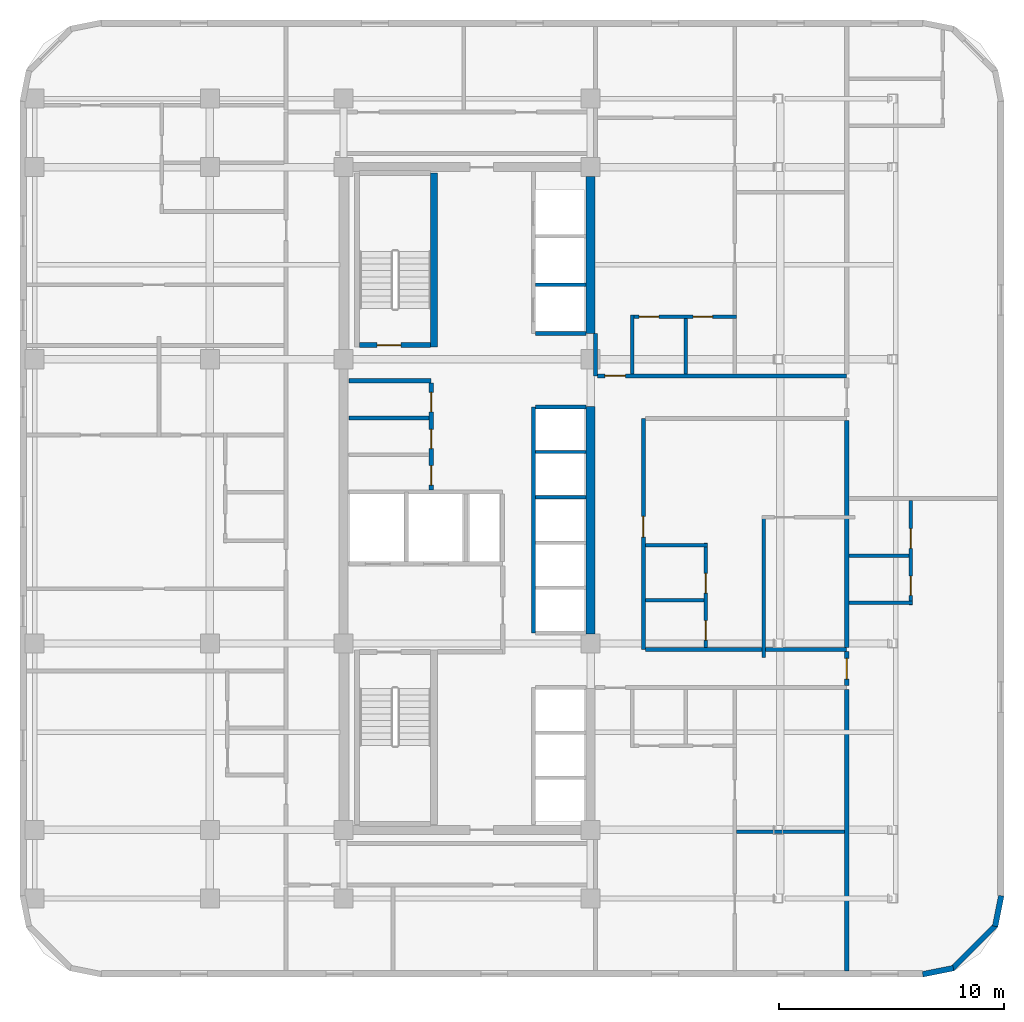
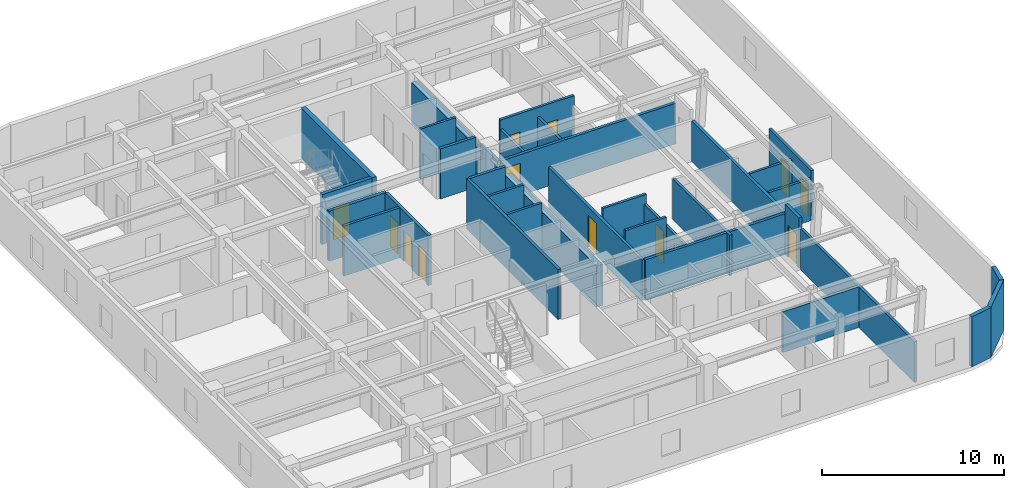
# One storey, part 5 of 8: 34 walls, 13 doors, 13 openings.
"""IFC4 building model written with IfcOpenShell, lengths in metres."""

from ifc_helpers import new_model, si_unit, direction, frame, frame_2d, origin, place, context, subcontext, project, spatial, rectangle, extrude, material, layer, layer_set, type_object, element, fill, save


model = new_model("IFC4")

# Units and contexts
model_context = context("Model", 3, precision=1e-05, world=origin(), true_north=direction((0.0, 1.0)))
body_context = subcontext(model_context, "Body", "Model", "MODEL_VIEW")
ifc_project = project(units=[si_unit("LENGTHUNIT", "METRE"), si_unit("AREAUNIT", "SQUARE_METRE"), si_unit("VOLUMEUNIT", "CUBIC_METRE"), si_unit("PLANEANGLEUNIT", "RADIAN"), si_unit("MASSUNIT", "GRAM", prefix="KILO")], contexts=[model_context])

# Site, building, storey
site_placement = place(None, origin())
site = spatial("IfcSite", under=ifc_project, at=site_placement, CompositionType="ELEMENT")
building_placement = place(site_placement, origin())
building = spatial("IfcBuilding", under=site, at=building_placement, Name="Ochreholt Gables", CompositionType="ELEMENT")
storey_placement = place(building_placement, frame((0.0, 0.0, 102.60009765625)))
storey = spatial("IfcBuildingStorey", under=building, at=storey_placement, Name="L26", CompositionType="ELEMENT", Elevation=102.60009765625)

# Walls
ifc_material_1 = material(Name="Concrete 60 MPa", Category="concrete")
ifc_layer_1 = layer(ifc_material_1, 0.39990234375, Name="Concrete 60 MPa")
ifc_layer_set_1 = layer_set([ifc_layer_1], Name="Concrete 60 MPa")
wall_type_1 = type_object("IfcWallType", Name="WALL-CSW-400", PredefinedType="SHEAR", material=ifc_layer_set_1)
wall_1_placement = place(storey_placement, frame((35.199951171875, 17.97509765625, 0.0), z_axis=(0.0, 0.0, 1.0), x_axis=(0.0, 1.0, 0.0)))
element("IfcWall", 1, at=wall_1_placement, inside=storey, type_object=wall_type_1, Name="L26 Core Central-East Shear Wall", PredefinedType="SHEAR", context=body_context, shape_type="SweptSolid", body=[
    extrude(rectangle(XDim=10.125, YDim=0.39990234375, at=frame_2d((5.0625, 0.0))), origin(), (0.0, 0.0, 1.0), 2.7490234375),
])
wall_2_placement = place(storey_placement, frame((35.199951171875, 31.35009765625, 0.0), z_axis=(0.0, 0.0, 1.0), x_axis=(0.0, 1.0, 0.0)))
element("IfcWall", 2, at=wall_2_placement, inside=storey, type_object=wall_type_1, Name="L26 Core North-East Shear Wall", PredefinedType="SHEAR", context=body_context, shape_type="SweptSolid", body=[
    extrude(rectangle(XDim=6.974853515625, YDim=0.39990234375, at=frame_2d((3.4873046875, 0.0))), origin(), (0.0, 0.0, 1.0), 2.7490234375),
])
ifc_material_2 = material(Name="Precast concrete 40 MPa", Category="concrete")
ifc_layer_2 = layer(ifc_material_2, 0.25, Name="Precast concrete 40 MPa")
ifc_layer_set_2 = layer_set([ifc_layer_2], Name="Precast concrete 40 MPa")
wall_type_2 = type_object("IfcWallType", Name="WALL-EXT-CNR", PredefinedType="SOLIDWALL", material=ifc_layer_set_2)
wall_3_placement = place(storey_placement, frame((49.9833984375, 2.82421875, 0.0), z_axis=(0.0, 0.0, 1.0), x_axis=(0.980809899341, 0.19496651342, 0.0)))
element("IfcWall", 3, at=wall_3_placement, inside=storey, type_object=wall_type_2, Name="L26 Rounded Corner Wall SE-1", PredefinedType="SOLIDWALL", context=body_context, shape_type="SweptSolid", body=[
    extrude(rectangle(XDim=1.388671875, YDim=0.25, at=frame_2d((0.6943359375, 0.0))), origin(), (0.0, 0.0, 1.0), 3.35986328125),
])
wall_4_placement = place(storey_placement, frame((51.294921875, 3.068115234375, 0.0), z_axis=(0.0, 0.0, 1.0), x_axis=(0.707151344399, 0.707062215165, 0.0)))
element("IfcWall", 4, at=wall_4_placement, inside=storey, type_object=wall_type_2, Name="L26 Rounded Corner Wall SE-2", PredefinedType="SOLIDWALL", context=body_context, shape_type="SweptSolid", body=[
    extrude(rectangle(XDim=2.7392578125, YDim=0.25, at=frame_2d((1.36962890625, 0.0))), origin(), (0.0, 0.0, 1.0), 3.35986328125),
])
wall_5_placement = place(storey_placement, frame((53.205078125, 4.95458984375, 0.0), z_axis=(0.0, 0.0, 1.0), x_axis=(0.195000137217, 0.980803214965, 0.0)))
element("IfcWall", 5, at=wall_5_placement, inside=storey, type_object=wall_type_2, Name="L26 Rounded Corner Wall SE-3", PredefinedType="SOLIDWALL", context=body_context, shape_type="SweptSolid", body=[
    extrude(rectangle(XDim=1.388427734375, YDim=0.25, at=frame_2d((0.6943359375, 0.0))), origin(), (0.0, 0.0, 1.0), 3.35986328125),
])
ifc_material_3 = material(Name="Concrete 40 MPa", Category="concrete")
ifc_layer_3 = layer(ifc_material_3, 0.199951171875, Name="Concrete 40 MPa")
ifc_layer_set_3 = layer_set([ifc_layer_3], Name="Concrete 40 MPa")
wall_type_3 = type_object("IfcWallType", Name="WALL-INT-CF200", PredefinedType="STANDARD", material=ifc_layer_set_3)
wall_6_placement = place(storey_placement, frame((24.449951171875, 29.239990234375, 0.0), z_axis=(0.0, 0.0, 1.0), x_axis=(1.0, 0.0, 0.0)))
element("IfcWall", 6, at=wall_6_placement, inside=storey, type_object=wall_type_3, Name="L26 Interior Wall WI-SRVN-L26", PredefinedType="STANDARD", context=body_context, shape_type="SweptSolid", body=[
    extrude(rectangle(XDim=3.650146484375, YDim=0.199951171875, at=frame_2d((1.8251953125, 0.0))), origin(), (0.0, 0.0, 1.0), 3.35986328125),
])

# Wall, openings, doors
wall_7_placement = place(storey_placement, frame((28.10009765625, 24.389892578125, 0.0), z_axis=(0.0, 0.0, 1.0), x_axis=(0.0, 1.0, 0.0)))
wall_7 = element("IfcWall", 7, at=wall_7_placement, inside=storey, type_object=wall_type_3, Name="L26 Interior Wall WI-SRVE-L26", PredefinedType="STANDARD", context=body_context, shape_type="SweptSolid", body=[
    extrude(rectangle(XDim=4.75, YDim=0.199951171875, at=frame_2d((2.375, 0.0))), origin(), (0.0, 0.0, 1.0), 3.35986328125),
])
opening_1_placement = place(wall_7_placement, frame((0.2099609375, 0.0, 0.0)))
opening_1 = element("IfcOpeningElement", 8, at=opening_1_placement, cuts=wall_7, Name="Opening D-SV2", PredefinedType="OPENING", context=body_context, shape_type="SweptSolid", body=[
    extrude(rectangle(XDim=0.860107421875, YDim=2.10009765625, at=frame_2d((0.43017578125, 1.050048828125))), frame((0.0, 0.10986328125, 0.0), z_axis=(0.0, -1.0, 0.0), x_axis=(1.0, 0.0, 0.0)), (0.0, 0.0, 1.0), 0.219970703125),
])
opening_2_placement = place(wall_7_placement, frame((1.830078125, 0.0, 0.0)))
opening_2 = element("IfcOpeningElement", 9, at=opening_2_placement, cuts=wall_7, Name="Opening D-SV2", PredefinedType="OPENING", context=body_context, shape_type="SweptSolid", body=[
    extrude(rectangle(XDim=0.860107421875, YDim=2.10009765625, at=frame_2d((0.43017578125, 1.050048828125))), frame((0.0, 0.10986328125, 0.0), z_axis=(0.0, -1.0, 0.0), x_axis=(1.0, 0.0, 0.0)), (0.0, 0.0, 1.0), 0.219970703125),
])
opening_3_placement = place(wall_7_placement, frame((3.469970703125, 0.0, 0.0)))
opening_3 = element("IfcOpeningElement", 10, at=opening_3_placement, cuts=wall_7, Name="Opening D-SV2", PredefinedType="OPENING", context=body_context, shape_type="SweptSolid", body=[
    extrude(rectangle(XDim=0.860107421875, YDim=2.10009765625, at=frame_2d((0.43017578125, 1.050048828125))), frame((0.0, 0.10986328125, 0.0), z_axis=(0.0, -1.0, 0.0), x_axis=(1.0, 0.0, 0.0)), (0.0, 0.0, 1.0), 0.219970703125),
])
ifc_material_4 = material(Name="Hollow Metal Steel", Category="steel")
door_type_1 = type_object("IfcDoorType", Name="DR-INT-SRV860", OperationType="NOTDEFINED", PredefinedType="DOOR", material=ifc_material_4)
door_1_placement = place(opening_1_placement, origin())
door_1 = element("IfcDoor", 11, at=door_1_placement, inside=storey, type_object=door_type_1, Name="L26 Door D-SRV1-L26", OperationType="SINGLE_SWING_LEFT", OverallHeight=2.10009765625, OverallWidth=0.860107421875, PredefinedType="DOOR", context=body_context, shape_type="SweptSolid", body=[
    extrude(rectangle(XDim=0.860107421875, YDim=2.10009765625, at=frame_2d((0.43017578125, 1.050048828125))), frame((0.0, 0.02490234375, 0.0), z_axis=(0.0, -1.0, 0.0), x_axis=(1.0, 0.0, 0.0)), (0.0, 0.0, 1.0), 0.050048828125),
])
fill(opening_1, door_1)
door_2_placement = place(opening_2_placement, origin())
door_2 = element("IfcDoor", 12, at=door_2_placement, inside=storey, type_object=door_type_1, Name="L26 Door D-SRV2-L26", OperationType="SINGLE_SWING_RIGHT", OverallHeight=2.10009765625, OverallWidth=0.860107421875, PredefinedType="DOOR", context=body_context, shape_type="SweptSolid", body=[
    extrude(rectangle(XDim=0.860107421875, YDim=2.10009765625, at=frame_2d((0.43017578125, 1.050048828125))), frame((0.0, 0.02490234375, 0.0), z_axis=(0.0, -1.0, 0.0), x_axis=(1.0, 0.0, 0.0)), (0.0, 0.0, 1.0), 0.050048828125),
])
fill(opening_2, door_2)
door_3_placement = place(opening_3_placement, origin())
door_3 = element("IfcDoor", 13, at=door_3_placement, inside=storey, type_object=door_type_1, Name="L26 Door D-SRV3-L26", OperationType="SINGLE_SWING_LEFT", OverallHeight=2.10009765625, OverallWidth=0.860107421875, PredefinedType="DOOR", context=body_context, shape_type="SweptSolid", body=[
    extrude(rectangle(XDim=0.860107421875, YDim=2.10009765625, at=frame_2d((0.43017578125, 1.050048828125))), frame((0.0, 0.02490234375, 0.0), z_axis=(0.0, -1.0, 0.0), x_axis=(1.0, 0.0, 0.0)), (0.0, 0.0, 1.0), 0.050048828125),
])
fill(opening_3, door_3)

# Wall, opening, door
ifc_material_5 = material(Name="Fire-Rated Gypsum Acoustic Partition", Category="gypsum")
ifc_layer_4 = layer(ifc_material_5, 0.179931640625, Name="Fire-Rated Gypsum Acoustic Partition")
ifc_layer_set_4 = layer_set([ifc_layer_4], Name="Fire-Rated Gypsum Acoustic Partition")
wall_type_4 = type_object("IfcWallType", Name="WALL-INT-CR180", PredefinedType="STANDARD", material=ifc_layer_set_4)
wall_8_placement = place(storey_placement, frame((37.550048828125, 17.280029296875, 0.0), z_axis=(0.0, 0.0, 1.0), x_axis=(0.0, 1.0, 0.0)))
wall_8 = element("IfcWall", 14, at=wall_8_placement, inside=storey, type_object=wall_type_4, Name="L26 Interior Wall WI-C2EM-L26", PredefinedType="STANDARD", context=body_context, shape_type="SweptSolid", body=[
    extrude(rectangle(XDim=10.280029296875, YDim=0.179931640625, at=frame_2d((5.14013671875, 0.0))), origin(), (0.0, 0.0, 1.0), 2.73095703125),
])
opening_4_placement = place(wall_8_placement, frame((5.0, 0.0, 0.0)))
opening_4 = element("IfcOpeningElement", 15, at=opening_4_placement, cuts=wall_8, Name="Opening D-UN1", PredefinedType="OPENING", context=body_context, shape_type="SweptSolid", body=[
    extrude(rectangle(XDim=0.919921875, YDim=2.14990234375, at=frame_2d((0.4599609375, 1.074951171875))), frame((0.0, 0.099853515625, 0.0), z_axis=(0.0, -1.0, 0.0), x_axis=(1.0, 0.0, 0.0)), (0.0, 0.0, 1.0), 0.199951171875),
])
ifc_material_6 = material(Name="Engineered Oak Timber", Category="wood")
door_type_2 = type_object("IfcDoorType", Name="DR-INT-UNT920", OperationType="NOTDEFINED", PredefinedType="DOOR", material=ifc_material_6)
door_4_placement = place(opening_4_placement, origin())
door_4 = element("IfcDoor", 16, at=door_4_placement, inside=storey, type_object=door_type_2, Name="L26 Door D-U-L26M1-ENT", OperationType="SINGLE_SWING_RIGHT", OverallHeight=2.14990234375, OverallWidth=0.919921875, PredefinedType="DOOR", context=body_context, shape_type="SweptSolid", body=[
    extrude(rectangle(XDim=0.919921875, YDim=2.14990234375, at=frame_2d((0.4599609375, 1.074951171875))), frame((0.0, 0.02490234375, 0.0), z_axis=(0.0, -1.0, 0.0), x_axis=(1.0, 0.0, 0.0)), (0.0, 0.0, 1.0), 0.050048828125),
])
fill(opening_4, door_4)

# Walls
wall_9_placement = place(storey_placement, frame((37.639892578125, 17.280029296875, 0.0), z_axis=(0.0, 0.0, 1.0), x_axis=(1.0, 0.0, 0.0)))
element("IfcWall", 17, at=wall_9_placement, inside=storey, type_object=wall_type_4, Name="L26 Interior Wall WI-C2SS2-L26", PredefinedType="STANDARD", context=body_context, shape_type="SweptSolid", body=[
    extrude(rectangle(XDim=8.960205078125, YDim=0.179931640625, at=frame_2d((4.47998046875, 0.0))), origin(), (0.0, 0.0, 1.0), 2.73095703125),
])
wall_10_placement = place(storey_placement, frame((35.419921875, 29.4599609375, 0.0), z_axis=(0.0, 0.0, 1.0), x_axis=(0.0, 1.0, 0.0)))
element("IfcWall", 18, at=wall_10_placement, inside=storey, type_object=wall_type_4, Name="L26 Interior Wall WI-C2NCL-L26", PredefinedType="STANDARD", context=body_context, shape_type="SweptSolid", body=[
    extrude(rectangle(XDim=1.89013671875, YDim=0.179931640625, at=frame_2d((0.945068359375, 0.0))), origin(), (0.0, 0.0, 1.0), 2.73095703125),
])

# Wall, opening, door
wall_11_placement = place(storey_placement, frame((35.510009765625, 29.4599609375, 0.0), z_axis=(0.0, 0.0, 1.0), x_axis=(1.0, 0.0, 0.0)))
wall_11 = element("IfcWall", 19, at=wall_11_placement, inside=storey, type_object=wall_type_4, Name="L26 Interior Wall WI-C2SN2-L26", PredefinedType="STANDARD", context=body_context, shape_type="SweptSolid", body=[
    extrude(rectangle(XDim=11.090087890625, YDim=0.179931640625, at=frame_2d((5.544921875, 0.0))), origin(), (0.0, 0.0, 1.0), 2.73095703125),
])
opening_5_placement = place(wall_11_placement, frame((0.320068359375, 0.0, 0.0)))
opening_5 = element("IfcOpeningElement", 20, at=opening_5_placement, cuts=wall_11, Name="Opening D-UN1", PredefinedType="OPENING", context=body_context, shape_type="SweptSolid", body=[
    extrude(rectangle(XDim=0.919921875, YDim=2.14990234375, at=frame_2d((0.4599609375, 1.074951171875))), frame((0.0, 0.099853515625, 0.0), z_axis=(0.0, -1.0, 0.0), x_axis=(1.0, 0.0, 0.0)), (0.0, 0.0, 1.0), 0.199951171875),
])
door_5_placement = place(opening_5_placement, origin())
door_5 = element("IfcDoor", 21, at=door_5_placement, inside=storey, type_object=door_type_2, Name="L26 Door D-U-L26N1-ENT", OperationType="SINGLE_SWING_LEFT", OverallHeight=2.14990234375, OverallWidth=0.919921875, PredefinedType="DOOR", context=body_context, shape_type="SweptSolid", body=[
    extrude(rectangle(XDim=0.919921875, YDim=2.14990234375, at=frame_2d((0.4599609375, 1.074951171875))), frame((0.0, 0.02490234375, 0.0), z_axis=(0.0, -1.0, 0.0), x_axis=(1.0, 0.0, 0.0)), (0.0, 0.0, 1.0), 0.050048828125),
])
fill(opening_5, door_5)

wall_12_placement = place(storey_placement, frame((46.60009765625, 15.669921875, 0.0), z_axis=(0.0, 0.0, 1.0), x_axis=(0.0, 1.0, 0.0)))
wall_12 = element("IfcWall", 22, at=wall_12_placement, inside=storey, type_object=wall_type_4, Name="L26 Interior Wall WI-C2SSE-L26", PredefinedType="STANDARD", context=body_context, shape_type="SweptSolid", body=[
    extrude(rectangle(XDim=1.52001953125, YDim=0.179931640625, at=frame_2d((0.760009765625, 0.0))), origin(), (0.0, 0.0, 1.0), 3.35986328125),
])
opening_6_placement = place(wall_12_placement, frame((0.2900390625, 0.0, 0.0)))
opening_6 = element("IfcOpeningElement", 23, at=opening_6_placement, cuts=wall_12, Name="Opening D-UN1", PredefinedType="OPENING", context=body_context, shape_type="SweptSolid", body=[
    extrude(rectangle(XDim=0.919921875, YDim=2.14990234375, at=frame_2d((0.4599609375, 1.074951171875))), frame((0.0, 0.099853515625, 0.0), z_axis=(0.0, -1.0, 0.0), x_axis=(1.0, 0.0, 0.0)), (0.0, 0.0, 1.0), 0.199951171875),
])
door_6_placement = place(opening_6_placement, origin())
door_6 = element("IfcDoor", 24, at=door_6_placement, inside=storey, type_object=door_type_2, Name="L26 Door D-U-L26FES-ENT", OperationType="SINGLE_SWING_LEFT", OverallHeight=2.14990234375, OverallWidth=0.919921875, PredefinedType="DOOR", context=body_context, shape_type="SweptSolid", body=[
    extrude(rectangle(XDim=0.919921875, YDim=2.14990234375, at=frame_2d((0.4599609375, 1.074951171875))), frame((0.0, 0.02490234375, 0.0), z_axis=(0.0, -1.0, 0.0), x_axis=(1.0, 0.0, 0.0)), (0.0, 0.0, 1.0), 0.050048828125),
])
fill(opening_6, door_6)

# Walls
ifc_material_7 = material(Name="Double-Stud Acoustic Demising Wall", Category="gypsum")
ifc_layer_5 = layer(ifc_material_7, 0.179931640625, Name="Double-Stud Acoustic Demising Wall")
ifc_layer_set_5 = layer_set([ifc_layer_5], Name="Double-Stud Acoustic Demising Wall")
wall_type_5 = type_object("IfcWallType", Name="WALL-INT-DM180", PredefinedType="PARTITIONING", material=ifc_layer_set_5)
wall_13_placement = place(storey_placement, frame((46.60009765625, 2.97998046875, 0.0), z_axis=(0.0, 0.0, 1.0), x_axis=(0.0, 1.0, 0.0)))
element("IfcWall", 25, at=wall_13_placement, inside=storey, type_object=wall_type_5, Name="L26 Interior Wall WI-C2FEW1-L26", PredefinedType="PARTITIONING", context=body_context, shape_type="SweptSolid", body=[
    extrude(rectangle(XDim=12.510009765625, YDim=0.179931640625, at=frame_2d((6.2548828125, 0.0))), origin(), (0.0, 0.0, 1.0), 2.73095703125),
])
wall_14_placement = place(storey_placement, frame((46.60009765625, 17.3701171875, 0.0), z_axis=(0.0, 0.0, 1.0), x_axis=(0.0, 1.0, 0.0)))
element("IfcWall", 26, at=wall_14_placement, inside=storey, type_object=wall_type_5, Name="L26 Interior Wall WI-C2FEW2-L26", PredefinedType="PARTITIONING", context=body_context, shape_type="SweptSolid", body=[
    extrude(rectangle(XDim=10.099853515625, YDim=0.179931640625, at=frame_2d((5.0498046875, 0.0))), origin(), (0.0, 0.0, 1.0), 2.73095703125),
])

# Wall, openings, doors
ifc_material_8 = material(Name="Moisture-Resistant Plumbing Chase Wall", Category="gypsum")
ifc_layer_6 = layer(ifc_material_8, 0.159912109375, Name="Moisture-Resistant Plumbing Chase Wall")
ifc_layer_set_6 = layer_set([ifc_layer_6], Name="Moisture-Resistant Plumbing Chase Wall")
wall_type_6 = type_object("IfcWallType", Name="WALL-INT-PL160", PredefinedType="PLUMBINGWALL", material=ifc_layer_set_6)
wall_15_placement = place(storey_placement, frame((36.97998046875, 32.094970703125, 0.0), z_axis=(0.0, 0.0, 1.0), x_axis=(1.0, 0.0, 0.0)))
wall_15 = element("IfcWall", 27, at=wall_15_placement, inside=storey, type_object=wall_type_6, Name="L26 Interior Wall WU-L26N1-WY", PredefinedType="PLUMBINGWALL", context=body_context, shape_type="SweptSolid", body=[
    extrude(rectangle(XDim=4.7099609375, YDim=0.159912109375, at=frame_2d((2.35498046875, 0.0))), origin(), (0.0, 0.0, 1.0), 3.35986328125),
])
opening_7_placement = place(wall_15_placement, frame((0.3798828125, 0.0, 0.0)))
opening_7 = element("IfcOpeningElement", 28, at=opening_7_placement, cuts=wall_15, Name="Opening D-GN2", PredefinedType="OPENING", context=body_context, shape_type="SweptSolid", body=[
    extrude(rectangle(XDim=0.8798828125, YDim=2.1201171875, at=frame_2d((0.43994140625, 1.06005859375))), frame((0.0, 0.08984375, 0.0), z_axis=(0.0, -1.0, 0.0), x_axis=(1.0, 0.0, 0.0)), (0.0, 0.0, 1.0), 0.179931640625),
])
opening_8_placement = place(wall_15_placement, frame((2.785888671875, 0.0, 0.0)))
opening_8 = element("IfcOpeningElement", 29, at=opening_8_placement, cuts=wall_15, Name="Opening D-BT1", PredefinedType="OPENING", context=body_context, shape_type="SweptSolid", body=[
    extrude(rectangle(XDim=0.860107421875, YDim=2.1201171875, at=frame_2d((0.43017578125, 1.06005859375))), frame((0.0, 0.08984375, 0.0), z_axis=(0.0, -1.0, 0.0), x_axis=(1.0, 0.0, 0.0)), (0.0, 0.0, 1.0), 0.179931640625),
])
door_type_3 = type_object("IfcDoorType", Name="DR-INT-BTH860", OperationType="NOTDEFINED", PredefinedType="DOOR", material=ifc_material_6)
door_7_placement = place(opening_8_placement, origin())
door_7 = element("IfcDoor", 30, at=door_7_placement, inside=storey, type_object=door_type_3, Name="L26 Door D-U-L26N1-BTH", OperationType="SINGLE_SWING_LEFT", OverallHeight=2.1201171875, OverallWidth=0.860107421875, PredefinedType="DOOR", context=body_context, shape_type="SweptSolid", body=[
    extrude(rectangle(XDim=0.860107421875, YDim=2.1201171875, at=frame_2d((0.43017578125, 1.06005859375))), frame((0.0, 0.02490234375, 0.0), z_axis=(0.0, -1.0, 0.0), x_axis=(1.0, 0.0, 0.0)), (0.0, 0.0, 1.0), 0.050048828125),
])
fill(opening_8, door_7)
door_type_4 = type_object("IfcDoorType", Name="DR-INT-GEN880", OperationType="NOTDEFINED", PredefinedType="DOOR", material=ifc_material_6)
door_8_placement = place(opening_7_placement, origin())
door_8 = element("IfcDoor", 31, at=door_8_placement, inside=storey, type_object=door_type_4, Name="L26 Door D-U-L26N1-KIT", OperationType="SINGLE_SWING_RIGHT", OverallHeight=2.1201171875, OverallWidth=0.8798828125, PredefinedType="DOOR", context=body_context, shape_type="SweptSolid", body=[
    extrude(rectangle(XDim=0.8798828125, YDim=2.1201171875, at=frame_2d((0.43994140625, 1.06005859375))), frame((0.0, 0.02490234375, 0.0), z_axis=(0.0, -1.0, 0.0), x_axis=(1.0, 0.0, 0.0)), (0.0, 0.0, 1.0), 0.050048828125),
])
fill(opening_7, door_8)

# Walls
wall_16_placement = place(storey_placement, frame((37.06005859375, 29.550048828125, 0.0), z_axis=(0.0, 0.0, 1.0), x_axis=(0.0, 1.0, 0.0)))
element("IfcWall", 32, at=wall_16_placement, inside=storey, type_object=wall_type_6, Name="L26 Interior Wall WU-L26N1-FY", PredefinedType="PLUMBINGWALL", context=body_context, shape_type="SweptSolid", body=[
    extrude(rectangle(XDim=2.625, YDim=0.159912109375, at=frame_2d((1.3125, 0.0))), origin(), (0.0, 0.0, 1.0), 2.73095703125),
])
wall_17_placement = place(storey_placement, frame((39.426025390625, 29.550048828125, 0.0), z_axis=(0.0, 0.0, 1.0), x_axis=(0.0, 1.0, 0.0)))
element("IfcWall", 33, at=wall_17_placement, inside=storey, type_object=wall_type_6, Name="L26 Interior Wall WU-L26N1-WK", PredefinedType="PLUMBINGWALL", context=body_context, shape_type="SweptSolid", body=[
    extrude(rectangle(XDim=2.46484375, YDim=0.159912109375, at=frame_2d((1.232421875, 0.0))), origin(), (0.0, 0.0, 1.0), 2.73095703125),
])
wall_18_placement = place(storey_placement, frame((37.639892578125, 21.919921875, 0.0), z_axis=(0.0, 0.0, 1.0), x_axis=(1.0, 0.0, 0.0)))
element("IfcWall", 34, at=wall_18_placement, inside=storey, type_object=wall_type_6, Name="L26 Interior Wall WU-L26M1-WYN", PredefinedType="PLUMBINGWALL", context=body_context, shape_type="SweptSolid", body=[
    extrude(rectangle(XDim=2.758056640625, YDim=0.159912109375, at=frame_2d((1.37890625, 0.0))), origin(), (0.0, 0.0, 1.0), 3.35986328125),
])

# Wall, openings, doors
wall_19_placement = place(storey_placement, frame((40.318115234375, 17.3701171875, 0.0), z_axis=(0.0, 0.0, 1.0), x_axis=(0.0, 1.0, 0.0)))
wall_19 = element("IfcWall", 35, at=wall_19_placement, inside=storey, type_object=wall_type_6, Name="L26 Interior Wall WU-L26M1-WX", PredefinedType="PLUMBINGWALL", context=body_context, shape_type="SweptSolid", body=[
    extrude(rectangle(XDim=4.639892578125, YDim=0.159912109375, at=frame_2d((2.31982421875, 0.0))), origin(), (0.0, 0.0, 1.0), 2.73095703125),
])
opening_9_placement = place(wall_19_placement, frame((0.330078125, 0.0, 0.0)))
opening_9 = element("IfcOpeningElement", 36, at=opening_9_placement, cuts=wall_19, Name="Opening D-BT1", PredefinedType="OPENING", context=body_context, shape_type="SweptSolid", body=[
    extrude(rectangle(XDim=0.860107421875, YDim=2.1201171875, at=frame_2d((0.43017578125, 1.06005859375))), frame((0.0, 0.08984375, 0.0), z_axis=(0.0, -1.0, 0.0), x_axis=(1.0, 0.0, 0.0)), (0.0, 0.0, 1.0), 0.179931640625),
])
opening_10_placement = place(wall_19_placement, frame((2.423095703125, 0.0, 0.0)))
opening_10 = element("IfcOpeningElement", 37, at=opening_10_placement, cuts=wall_19, Name="Opening D-GN2", PredefinedType="OPENING", context=body_context, shape_type="SweptSolid", body=[
    extrude(rectangle(XDim=0.8798828125, YDim=2.1201171875, at=frame_2d((0.43994140625, 1.06005859375))), frame((0.0, 0.08984375, 0.0), z_axis=(0.0, -1.0, 0.0), x_axis=(1.0, 0.0, 0.0)), (0.0, 0.0, 1.0), 0.179931640625),
])
door_9_placement = place(opening_9_placement, origin())
door_9 = element("IfcDoor", 38, at=door_9_placement, inside=storey, type_object=door_type_3, Name="L26 Door D-U-L26M1-BTH", OperationType="SINGLE_SWING_LEFT", OverallHeight=2.1201171875, OverallWidth=0.860107421875, PredefinedType="DOOR", context=body_context, shape_type="SweptSolid", body=[
    extrude(rectangle(XDim=0.860107421875, YDim=2.1201171875, at=frame_2d((0.43017578125, 1.06005859375))), frame((0.0, 0.02490234375, 0.0), z_axis=(0.0, -1.0, 0.0), x_axis=(1.0, 0.0, 0.0)), (0.0, 0.0, 1.0), 0.050048828125),
])
fill(opening_9, door_9)
door_10_placement = place(opening_10_placement, origin())
door_10 = element("IfcDoor", 39, at=door_10_placement, inside=storey, type_object=door_type_4, Name="L26 Door D-U-L26M1-KIT", OperationType="SINGLE_SWING_RIGHT", OverallHeight=2.1201171875, OverallWidth=0.8798828125, PredefinedType="DOOR", context=body_context, shape_type="SweptSolid", body=[
    extrude(rectangle(XDim=0.8798828125, YDim=2.1201171875, at=frame_2d((0.43994140625, 1.06005859375))), frame((0.0, 0.02490234375, 0.0), z_axis=(0.0, -1.0, 0.0), x_axis=(1.0, 0.0, 0.0)), (0.0, 0.0, 1.0), 0.050048828125),
])
fill(opening_10, door_10)

# Walls
wall_20_placement = place(storey_placement, frame((37.639892578125, 19.462890625, 0.0), z_axis=(0.0, 0.0, 1.0), x_axis=(1.0, 0.0, 0.0)))
element("IfcWall", 40, at=wall_20_placement, inside=storey, type_object=wall_type_6, Name="L26 Interior Wall WU-L26M1-WM", PredefinedType="PLUMBINGWALL", context=body_context, shape_type="SweptSolid", body=[
    extrude(rectangle(XDim=2.59814453125, YDim=0.159912109375, at=frame_2d((1.299072265625, 0.0))), origin(), (0.0, 0.0, 1.0), 3.35986328125),
])
wall_21_placement = place(storey_placement, frame((46.68994140625, 19.360107421875, 0.0), z_axis=(0.0, 0.0, 1.0), x_axis=(1.0, 0.0, 0.0)))
element("IfcWall", 41, at=wall_21_placement, inside=storey, type_object=wall_type_6, Name="L26 Interior Wall WU-L26FES-WYS", PredefinedType="PLUMBINGWALL", context=body_context, shape_type="SweptSolid", body=[
    extrude(rectangle(XDim=2.833984375, YDim=0.159912109375, at=frame_2d((1.4169921875, 0.0))), origin(), (0.0, 0.0, 1.0), 2.808837890625),
])

# Wall, openings, doors
wall_22_placement = place(storey_placement, frame((49.444091796875, 19.27001953125, 0.0), z_axis=(0.0, 0.0, 1.0), x_axis=(0.0, 1.0, 0.0)))
wall_22 = element("IfcWall", 42, at=wall_22_placement, inside=storey, type_object=wall_type_6, Name="L26 Interior Wall WU-L26FES-WX", PredefinedType="PLUMBINGWALL", context=body_context, shape_type="SweptSolid", body=[
    extrude(rectangle(XDim=4.639892578125, YDim=0.159912109375, at=frame_2d((2.31982421875, 0.0))), origin(), (0.0, 0.0, 1.0), 3.35986328125),
])
opening_11_placement = place(wall_22_placement, frame((0.419921875, 0.0, 0.0)))
opening_11 = element("IfcOpeningElement", 43, at=opening_11_placement, cuts=wall_22, Name="Opening D-BT1", PredefinedType="OPENING", context=body_context, shape_type="SweptSolid", body=[
    extrude(rectangle(XDim=0.860107421875, YDim=2.1201171875, at=frame_2d((0.43017578125, 1.06005859375))), frame((0.0, 0.08984375, 0.0), z_axis=(0.0, -1.0, 0.0), x_axis=(1.0, 0.0, 0.0)), (0.0, 0.0, 1.0), 0.179931640625),
])
opening_12_placement = place(wall_22_placement, frame((2.512939453125, 0.0, 0.0)))
opening_12 = element("IfcOpeningElement", 44, at=opening_12_placement, cuts=wall_22, Name="Opening D-GN2", PredefinedType="OPENING", context=body_context, shape_type="SweptSolid", body=[
    extrude(rectangle(XDim=0.8798828125, YDim=2.1201171875, at=frame_2d((0.43994140625, 1.06005859375))), frame((0.0, 0.08984375, 0.0), z_axis=(0.0, -1.0, 0.0), x_axis=(1.0, 0.0, 0.0)), (0.0, 0.0, 1.0), 0.179931640625),
])
door_11_placement = place(opening_11_placement, origin())
door_11 = element("IfcDoor", 45, at=door_11_placement, inside=storey, type_object=door_type_3, Name="L26 Door D-U-L26FES-BTH", OperationType="SINGLE_SWING_RIGHT", OverallHeight=2.1201171875, OverallWidth=0.860107421875, PredefinedType="DOOR", context=body_context, shape_type="SweptSolid", body=[
    extrude(rectangle(XDim=0.860107421875, YDim=2.1201171875, at=frame_2d((0.43017578125, 1.06005859375))), frame((0.0, 0.02490234375, 0.0), z_axis=(0.0, -1.0, 0.0), x_axis=(1.0, 0.0, 0.0)), (0.0, 0.0, 1.0), 0.050048828125),
])
fill(opening_11, door_11)
door_12_placement = place(opening_12_placement, origin())
door_12 = element("IfcDoor", 46, at=door_12_placement, inside=storey, type_object=door_type_4, Name="L26 Door D-U-L26FES-KIT", OperationType="SINGLE_SWING_LEFT", OverallHeight=2.1201171875, OverallWidth=0.8798828125, PredefinedType="DOOR", context=body_context, shape_type="SweptSolid", body=[
    extrude(rectangle(XDim=0.8798828125, YDim=2.1201171875, at=frame_2d((0.43994140625, 1.06005859375))), frame((0.0, 0.02490234375, 0.0), z_axis=(0.0, -1.0, 0.0), x_axis=(1.0, 0.0, 0.0)), (0.0, 0.0, 1.0), 0.050048828125),
])
fill(opening_12, door_12)

# Walls
wall_23_placement = place(storey_placement, frame((46.68994140625, 21.452880859375, 0.0), z_axis=(0.0, 0.0, 1.0), x_axis=(1.0, 0.0, 0.0)))
element("IfcWall", 47, at=wall_23_placement, inside=storey, type_object=wall_type_6, Name="L26 Interior Wall WU-L26FES-WM", PredefinedType="PLUMBINGWALL", context=body_context, shape_type="SweptSolid", body=[
    extrude(rectangle(XDim=2.674072265625, YDim=0.159912109375, at=frame_2d((1.3369140625, 0.0))), origin(), (0.0, 0.0, 1.0), 2.808837890625),
])
ifc_material_9 = material(Name="Gypsum Acoustic Stud Partition", Category="gypsum")
ifc_layer_7 = layer(ifc_material_9, 0.1650390625, Name="Gypsum Acoustic Stud Partition")
ifc_layer_set_7 = layer_set([ifc_layer_7], Name="Gypsum Acoustic Stud Partition")
wall_type_7 = type_object("IfcWallType", Name="WALL-INT-PT165", PredefinedType="PARTITIONING", material=ifc_layer_set_7)
wall_24_placement = place(storey_placement, frame((24.449951171875, 27.580078125, 0.0), z_axis=(0.0, 0.0, 1.0), x_axis=(1.0, 0.0, 0.0)))
element("IfcWall", 48, at=wall_24_placement, inside=storey, type_object=wall_type_7, Name="L26 Interior Wall WI-SRVP2-L26", PredefinedType="PARTITIONING", context=body_context, shape_type="SweptSolid", body=[
    extrude(rectangle(XDim=3.550048828125, YDim=0.1650390625, at=frame_2d((1.77490234375, 0.0))), origin(), (0.0, 0.0, 1.0), 3.35986328125),
])
wall_25_placement = place(storey_placement, frame((41.68994140625, 9.169921875, 0.0), z_axis=(0.0, 0.0, 1.0), x_axis=(1.0, 0.0, 0.0)))
element("IfcWall", 49, at=wall_25_placement, inside=storey, type_object=wall_type_7, Name="L26 Interior Wall WU-L26S1-RDV", PredefinedType="PARTITIONING", context=body_context, shape_type="SweptSolid", body=[
    extrude(rectangle(XDim=4.820068359375, YDim=0.1650390625, at=frame_2d((2.41015625, 0.0))), origin(), (0.0, 0.0, 1.0), 2.73095703125),
])
wall_26_placement = place(storey_placement, frame((42.909912109375, 16.919921875, 0.0), z_axis=(0.0, 0.0, 1.0), x_axis=(0.0, 1.0, 0.0)))
element("IfcWall", 50, at=wall_26_placement, inside=storey, type_object=wall_type_7, Name="L26 Interior Wall WU-L26M1-STW", PredefinedType="PARTITIONING", context=body_context, shape_type="SweptSolid", body=[
    extrude(rectangle(XDim=6.25, YDim=0.1650390625, at=frame_2d((3.125, 0.0))), origin(), (0.0, 0.0, 1.0), 2.73095703125),
])
ifc_material_10 = material(Name="Gypsum Shaftliner and Steel Stud", Category="steel")
ifc_layer_8 = layer(ifc_material_10, 0.14990234375, Name="Gypsum Shaftliner and Steel Stud")
ifc_layer_set_8 = layer_set([ifc_layer_8], Name="Gypsum Shaftliner and Steel Stud")
wall_type_8 = type_object("IfcWallType", Name="WALL-INT-SH150", PredefinedType="STANDARD", material=ifc_layer_set_8)
for number, where, z_axis, x_axis, name in (
    (51, (32.739990234375, 24.050048828125, 0.0), (0.0, 0.0, 1.0), (1.0, 0.0, 0.0), "L26 Interior Wall WI-LFHE-DHE-L26"),
    (52, (32.739990234375, 26.070068359375, 0.0), (0.0, 0.0, 1.0), (1.0, 0.0, 0.0), "L26 Interior Wall WI-LFHE-DEX1-L26"),
    (53, (32.739990234375, 33.52001953125, 0.0), (0.0, 0.0, 1.0), (1.0, 0.0, 0.0), "L26 Interior Wall WI-LFM-D1-L26"),
):
    element("IfcWall", number, at=place(storey_placement, frame(where, z_axis=z_axis, x_axis=x_axis)), inside=storey, type_object=wall_type_8, Name=name, PredefinedType="STANDARD", context=body_context, shape_type="SweptSolid", body=[
        extrude(rectangle(XDim=2.260009765625, YDim=0.14990234375, at=frame_2d((1.1298828125, 0.0))), origin(), (0.0, 0.0, 1.0), 3.35986328125),
    ])
ifc_layer_9 = layer(ifc_material_10, 0.179931640625, Name="Gypsum Shaftliner and Steel Stud")
ifc_layer_set_9 = layer_set([ifc_layer_9], Name="Gypsum Shaftliner and Steel Stud")
wall_type_9 = type_object("IfcWallType", Name="WALL-INT-SH180", PredefinedType="STANDARD", material=ifc_layer_set_9)
wall_27_placement = place(storey_placement, frame((32.64990234375, 18.02001953125, 0.0), z_axis=(0.0, 0.0, 1.0), x_axis=(0.0, 1.0, 0.0)))
element("IfcWall", 54, at=wall_27_placement, inside=storey, type_object=wall_type_9, Name="L26 Interior Wall WI-LFHE-FR-L26", PredefinedType="STANDARD", context=body_context, shape_type="SweptSolid", body=[
    extrude(rectangle(XDim=10.06005859375, YDim=0.179931640625, at=frame_2d((5.030029296875, 0.0))), origin(), (0.0, 0.0, 1.0), 3.35986328125),
])
for number, where, z_axis, x_axis, name in (
    (55, (32.739990234375, 28.080078125, 0.0), (0.0, 0.0, 1.0), (1.0, 0.0, 0.0), "L26 Interior Wall WI-LFHE-N-L26"),
    (56, (32.739990234375, 31.35009765625, 0.0), (0.0, 0.0, 1.0), (1.0, 0.0, 0.0), "L26 Interior Wall WI-LFM-S-L26"),
):
    element("IfcWall", number, at=place(storey_placement, frame(where, z_axis=z_axis, x_axis=x_axis)), inside=storey, type_object=wall_type_9, Name=name, PredefinedType="STANDARD", context=body_context, shape_type="SweptSolid", body=[
        extrude(rectangle(XDim=2.260009765625, YDim=0.179931640625, at=frame_2d((1.1298828125, 0.0))), origin(), (0.0, 0.0, 1.0), 3.35986328125),
    ])
ifc_layer_10 = layer(ifc_material_1, 0.300048828125, Name="Concrete 60 MPa")
ifc_layer_set_10 = layer_set([ifc_layer_10], Name="Concrete 60 MPa")
wall_type_10 = type_object("IfcWallType", Name="WALL-SPN-300", PredefinedType="SHEAR", material=ifc_layer_set_10)
wall_28_placement = place(storey_placement, frame((28.22998046875, 30.739990234375, 0.0), z_axis=(0.0, 0.0, 1.0), x_axis=(0.0, 1.0, 0.0)))
element("IfcWall", 57, at=wall_28_placement, inside=storey, type_object=wall_type_10, Name="L26 Core North Spine Shear Wall", PredefinedType="SHEAR", context=body_context, shape_type="SweptSolid", body=[
    extrude(rectangle(XDim=7.760009765625, YDim=0.300048828125, at=frame_2d((3.8798828125, 0.0))), origin(), (0.0, 0.0, 1.0), 3.35986328125),
])

# Wall, opening, door
ifc_material_11 = material(Name="Concrete 50 MPa", Category="concrete")
ifc_layer_11 = layer(ifc_material_11, 0.219970703125, Name="Concrete 50 MPa")
ifc_layer_set_11 = layer_set([ifc_layer_11], Name="Concrete 50 MPa")
wall_type_11 = type_object("IfcWallType", Name="WALL-STW-220", PredefinedType="SHEAR", material=ifc_layer_set_11)
wall_29_placement = place(storey_placement, frame((24.919921875, 30.830078125, 0.0), z_axis=(0.0, 0.0, 1.0), x_axis=(1.0, 0.0, 0.0)))
wall_29 = element("IfcWall", 58, at=wall_29_placement, inside=storey, type_object=wall_type_11, Name="L26 Exit Stair 2 South Wall", PredefinedType="SHEAR", context=body_context, shape_type="SweptSolid", body=[
    extrude(rectangle(XDim=3.16015625, YDim=0.219970703125, at=frame_2d((1.580078125, 0.0))), origin(), (0.0, 0.0, 1.0), 3.35986328125),
])
opening_13_placement = place(wall_29_placement, frame((0.780029296875, 0.0, 0.0)))
opening_13 = element("IfcOpeningElement", 59, at=opening_13_placement, cuts=wall_29, Name="Opening D-STC", PredefinedType="OPENING", context=body_context, shape_type="SweptSolid", body=[
    extrude(rectangle(XDim=1.050048828125, YDim=2.14990234375, at=frame_2d((0.52490234375, 1.074951171875))), frame((0.0, 0.119873046875, 0.0), z_axis=(0.0, -1.0, 0.0), x_axis=(1.0, 0.0, 0.0)), (0.0, 0.0, 1.0), 0.239990234375),
])
door_type_5 = type_object("IfcDoorType", Name="DR-INT-ST1050", OperationType="NOTDEFINED", PredefinedType="DOOR", material=ifc_material_4)
door_13_placement = place(opening_13_placement, origin())
door_13 = element("IfcDoor", 60, at=door_13_placement, inside=storey, type_object=door_type_5, Name="L26 Door D-ST2-L26", OperationType="SINGLE_SWING_RIGHT", OverallHeight=2.14990234375, OverallWidth=1.050048828125, PredefinedType="DOOR", context=body_context, shape_type="SweptSolid", body=[
    extrude(rectangle(XDim=1.050048828125, YDim=2.14990234375, at=frame_2d((0.52490234375, 1.074951171875))), frame((0.0, 0.02490234375, 0.0), z_axis=(0.0, -1.0, 0.0), x_axis=(1.0, 0.0, 0.0)), (0.0, 0.0, 1.0), 0.050048828125),
])
fill(opening_13, door_13)

save(model, "model.ifc")
